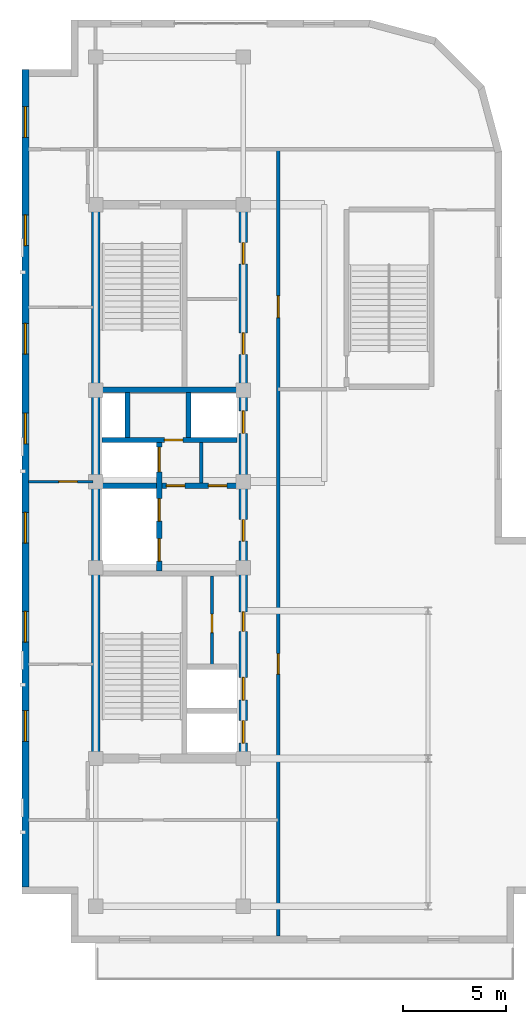
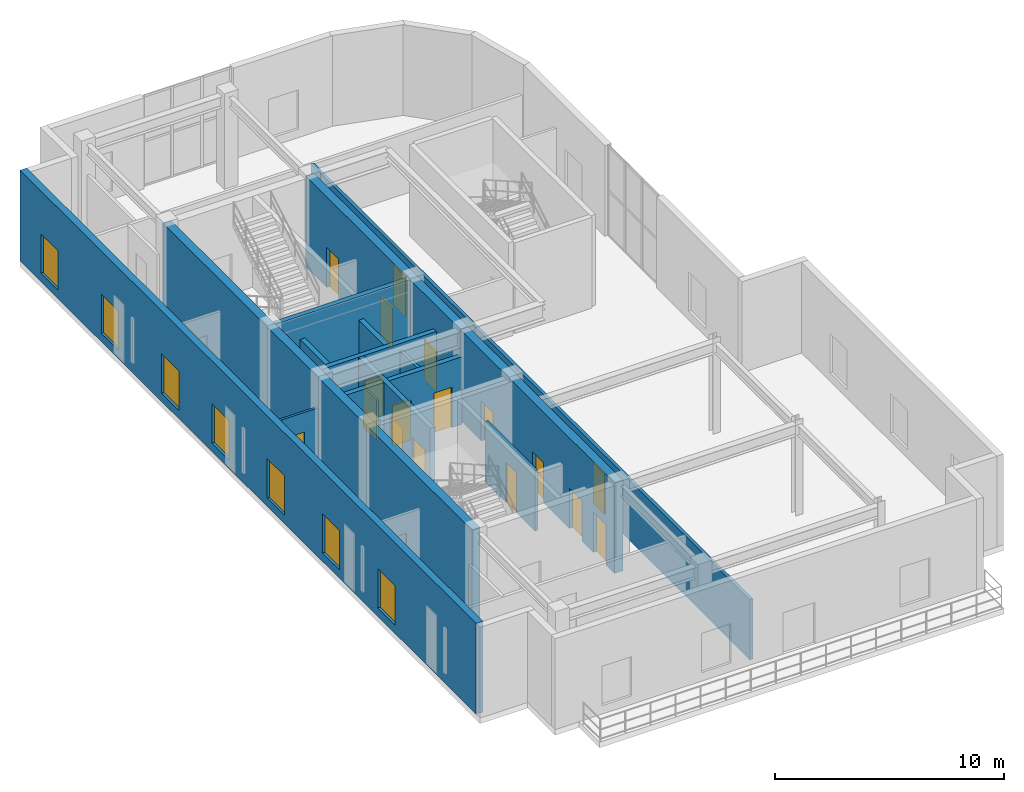
# One storey, part 7 of 10: 17 doors, 14 walls, 7 windows, 24 openings.
"""IFC4 building model written with IfcOpenShell, lengths in metres."""

from ifc_helpers import new_model, entity, si_unit, converted_unit, direction, frame, origin_with_axes, origin_2d_with_axis, place, context, subcontext, project, spatial, polyline, rectangle, outline, extrude, material, layer, layer_set, type_object, element, fill, save


model = new_model("IFC4")

# Units and contexts
model_context = context("Model", 3, precision=1e-05, world=origin_with_axes(), true_north=direction((0.0, 1.0)))
body_context = subcontext(model_context, "Body", "Model", "MODEL_VIEW")
ifc_project = project(units=[si_unit("LENGTHUNIT", "METRE"), si_unit("AREAUNIT", "SQUARE_METRE"), si_unit("VOLUMEUNIT", "CUBIC_METRE"), converted_unit("PLANEANGLEUNIT", "DEGREE", entity("IfcPlaneAngleMeasure", 0.017453292519943295), si_unit("PLANEANGLEUNIT", "RADIAN"), dimensions=[0, 0, 0, 0, 0, 0, 0]), si_unit("MASSUNIT", "GRAM", prefix="KILO"), si_unit("THERMODYNAMICTEMPERATUREUNIT", "KELVIN")], contexts=[model_context])

# Site, building, storey
site_placement = place(None, origin_with_axes())
site = spatial("IfcSite", under=ifc_project, at=site_placement, CompositionType="ELEMENT")
building_placement = place(site_placement, origin_with_axes())
building = spatial("IfcBuilding", under=site, at=building_placement, Name="Varnlund Millrace Tower", CompositionType="ELEMENT")
storey_placement = place(building_placement, frame((0.0, 0.0, 303.6), z_axis=(0.0, 0.0, 1.0), x_axis=(1.0, 0.0, 0.0)))
storey = spatial("IfcBuildingStorey", under=building, at=storey_placement, Name="L75", CompositionType="ELEMENT", Elevation=303.6)

# Wall
ifc_material_1 = material(Name="Concrete C60/75", Category="concrete")
ifc_layer_1 = layer(ifc_material_1, 0.42, Name="Concrete C60/75")
ifc_layer_set_1 = layer_set([ifc_layer_1], Name="Concrete C60/75")
wall_type_1 = type_object("IfcWallType", Name="Type-CoreWall-Shear-420-C60", PredefinedType="SHEAR", material=ifc_layer_set_1)
wall_1_placement = place(storey_placement, frame((11.4, 10.8, 0.0), z_axis=(0.0, 0.0, 1.0), x_axis=(0.0, 1.0, 0.0)))
element("IfcWall", 1, at=wall_1_placement, inside=storey, type_object=wall_type_1, Name="Type-CoreWall-Shear-420-C60", PredefinedType="SHEAR", context=body_context, shape_type="SweptSolid", body=[
    extrude(outline(polyline([(0.0, -0.21), (27.0, -0.21), (27.0, 0.21), (0.0, 0.21), (0.0, -0.21)])), origin_with_axes(), (0.0, 0.0, 1.0), 4.84),
])

# Wall, openings, doors
wall_2_placement = place(storey_placement, frame((18.6, 10.8, 0.0), z_axis=(0.0, 0.0, 1.0), x_axis=(0.0, 1.0, 0.0)))
wall_2 = element("IfcWall", 2, at=wall_2_placement, inside=storey, type_object=wall_type_1, Name="Type-CoreWall-Shear-420-C60", PredefinedType="SHEAR", context=body_context, shape_type="SweptSolid", body=[
    extrude(outline(polyline([(0.0, -0.21), (13.5, -0.21), (13.5, 0.21), (0.0, 0.21), (0.0, -0.21)])), origin_with_axes(), (0.0, 0.0, 1.0), 4.84),
])
opening_1_placement = place(wall_2_placement, frame((1.3, 0.0, 0.0), z_axis=(0.0, 0.0, 1.0), x_axis=(1.0, 0.0, 0.0)))
opening_1 = element("IfcOpeningElement", 3, at=opening_1_placement, cuts=wall_2, Name="Opening L75:LD-ELV-H1", PredefinedType="OPENING", context=body_context, shape_type="SweptSolid", body=[
    extrude(rectangle(XDim=1.1, YDim=0.44, at=origin_2d_with_axis()), origin_with_axes(), (0.0, 0.0, 1.0), 2.15),
])
opening_2_placement = place(wall_2_placement, frame((3.4, 0.0, 0.0), z_axis=(0.0, 0.0, 1.0), x_axis=(1.0, 0.0, 0.0)))
opening_2 = element("IfcOpeningElement", 4, at=opening_2_placement, cuts=wall_2, Name="Opening L75:LD-ELV-H2", PredefinedType="OPENING", context=body_context, shape_type="SweptSolid", body=[
    extrude(rectangle(XDim=1.1, YDim=0.44, at=origin_2d_with_axis()), origin_with_axes(), (0.0, 0.0, 1.0), 2.15),
])
opening_3_placement = place(wall_2_placement, frame((11.125, 0.0, 0.0), z_axis=(0.0, 0.0, 1.0), x_axis=(1.0, 0.0, 0.0)))
opening_3 = element("IfcOpeningElement", 5, at=opening_3_placement, cuts=wall_2, Name="Opening L75:DR-FFLOB-A", PredefinedType="OPENING", context=body_context, shape_type="SweptSolid", body=[
    extrude(rectangle(XDim=1.05, YDim=0.44, at=origin_2d_with_axis()), origin_with_axes(), (0.0, 0.0, 1.0), 2.15),
])
opening_4_placement = place(wall_2_placement, frame((6.675, 0.0, 0.0), z_axis=(0.0, 0.0, 1.0), x_axis=(1.0, 0.0, 0.0)))
opening_4 = element("IfcOpeningElement", 6, at=opening_4_placement, cuts=wall_2, Name="Opening L75:DR-RECL-S1B2", PredefinedType="OPENING", context=body_context, shape_type="SweptSolid", body=[
    extrude(rectangle(XDim=0.95, YDim=0.44, at=origin_2d_with_axis()), origin_with_axes(), (0.0, 0.0, 1.0), 2.15),
])
ifc_material_2 = material(Name="Smoke-barrier hollow steel fire door", Category="steel")
door_type_1 = type_object("IfcDoorType", Name="Type-FireDoor-Lobby-1050X2150", OperationType="NOTDEFINED", PredefinedType="DOOR", material=ifc_material_2)
door_1_placement = place(wall_2_placement, frame((11.125, 0.0, 0.0), z_axis=(0.0, 0.0, 1.0), x_axis=(1.0, 0.0, 0.0)))
door_1 = element("IfcDoor", 7, at=door_1_placement, inside=storey, type_object=door_type_1, Name="Type-FireDoor-Lobby-1050X2150", OperationType="SINGLE_SWING_LEFT", OverallHeight=2.15, OverallWidth=1.05, PredefinedType="DOOR", context=body_context, shape_type="SweptSolid", body=[
    extrude(rectangle(XDim=1.05, YDim=0.09, at=origin_2d_with_axis()), origin_with_axes(), (0.0, 0.0, 1.0), 2.15),
])
fill(opening_3, door_1)
ifc_material_3 = material(Name="Fire-rated hollow steel core service door", Category="steel")
door_type_2 = type_object("IfcDoorType", Name="Type-FireDoor-Service-950X2150", OperationType="NOTDEFINED", PredefinedType="DOOR", material=ifc_material_3)
door_2_placement = place(wall_2_placement, frame((6.675, 0.0, 0.0), z_axis=(0.0, 0.0, 1.0), x_axis=(1.0, 0.0, 0.0)))
door_2 = element("IfcDoor", 8, at=door_2_placement, inside=storey, type_object=door_type_2, Name="Type-FireDoor-Service-950X2150", OperationType="SINGLE_SWING_RIGHT", OverallHeight=2.15, OverallWidth=0.95, PredefinedType="DOOR", context=body_context, shape_type="SweptSolid", body=[
    extrude(rectangle(XDim=0.95, YDim=0.09, at=origin_2d_with_axis()), origin_with_axes(), (0.0, 0.0, 1.0), 2.15),
])
fill(opening_4, door_2)
ifc_material_4 = material(Name="Stainless and architectural bronze sliding landing door")
door_type_3 = type_object("IfcDoorType", Name="Type-LiftLandingDoor-1100X2150", OperationType="NOTDEFINED", PredefinedType="DOOR", material=ifc_material_4)
door_3_placement = place(wall_2_placement, frame((1.3, 0.0, 0.0), z_axis=(0.0, 0.0, 1.0), x_axis=(1.0, 0.0, 0.0)))
door_3 = element("IfcDoor", 9, at=door_3_placement, inside=storey, type_object=door_type_3, Name="Type-LiftLandingDoor-1100X2150", OperationType="SLIDING_TO_LEFT", OverallHeight=2.15, OverallWidth=1.1, PredefinedType="DOOR", context=body_context, shape_type="SweptSolid", body=[
    extrude(rectangle(XDim=1.1, YDim=0.09, at=origin_2d_with_axis()), origin_with_axes(), (0.0, 0.0, 1.0), 2.15),
])
fill(opening_1, door_3)
door_4_placement = place(wall_2_placement, frame((3.4, 0.0, 0.0), z_axis=(0.0, 0.0, 1.0), x_axis=(1.0, 0.0, 0.0)))
door_4 = element("IfcDoor", 10, at=door_4_placement, inside=storey, type_object=door_type_3, Name="Type-LiftLandingDoor-1100X2150", OperationType="SLIDING_TO_RIGHT", OverallHeight=2.15, OverallWidth=1.1, PredefinedType="DOOR", context=body_context, shape_type="SweptSolid", body=[
    extrude(rectangle(XDim=1.1, YDim=0.09, at=origin_2d_with_axis()), origin_with_axes(), (0.0, 0.0, 1.0), 2.15),
])
fill(opening_2, door_4)

wall_3_placement = place(storey_placement, frame((18.6, 24.3, 0.0), z_axis=(0.0, 0.0, 1.0), x_axis=(0.0, 1.0, 0.0)))
wall_3 = element("IfcWall", 11, at=wall_3_placement, inside=storey, type_object=wall_type_1, Name="Type-CoreWall-Shear-420-C60", PredefinedType="SHEAR", context=body_context, shape_type="SweptSolid", body=[
    extrude(outline(polyline([(0.0, -0.21), (13.5, -0.21), (13.5, 0.21), (0.0, 0.21), (0.0, -0.21)])), origin_with_axes(), (0.0, 0.0, 1.0), 4.84),
])
opening_5_placement = place(wall_3_placement, frame((2.9, 0.0, 0.0), z_axis=(0.0, 0.0, 1.0), x_axis=(1.0, 0.0, 0.0)))
opening_5 = element("IfcOpeningElement", 12, at=opening_5_placement, cuts=wall_3, Name="Opening L75:LD-ELV-OB1", PredefinedType="OPENING", context=body_context, shape_type="SweptSolid", body=[
    extrude(rectangle(XDim=1.1, YDim=0.44, at=origin_2d_with_axis()), origin_with_axes(), (0.0, 0.0, 1.0), 2.15),
])
opening_6_placement = place(wall_3_placement, frame((6.725, 0.0, 0.0), z_axis=(0.0, 0.0, 1.0), x_axis=(1.0, 0.0, 0.0)))
opening_6 = element("IfcOpeningElement", 13, at=opening_6_placement, cuts=wall_3, Name="Opening L75:DR-RECL-M1", PredefinedType="OPENING", context=body_context, shape_type="SweptSolid", body=[
    extrude(rectangle(XDim=1.05, YDim=0.44, at=origin_2d_with_axis()), origin_with_axes(), (0.0, 0.0, 1.0), 2.15),
])
opening_7_placement = place(wall_3_placement, frame((11.125, 0.0, 0.0), z_axis=(0.0, 0.0, 1.0), x_axis=(1.0, 0.0, 0.0)))
opening_7 = element("IfcOpeningElement", 14, at=opening_7_placement, cuts=wall_3, Name="Opening L75:DR-RECL-M2", PredefinedType="OPENING", context=body_context, shape_type="SweptSolid", body=[
    extrude(rectangle(XDim=1.05, YDim=0.44, at=origin_2d_with_axis()), origin_with_axes(), (0.0, 0.0, 1.0), 2.15),
])
door_5_placement = place(wall_3_placement, frame((6.725, 0.0, 0.0), z_axis=(0.0, 0.0, 1.0), x_axis=(1.0, 0.0, 0.0)))
door_5 = element("IfcDoor", 15, at=door_5_placement, inside=storey, type_object=door_type_1, Name="Type-FireDoor-Lobby-1050X2150", OperationType="SINGLE_SWING_LEFT", OverallHeight=2.15, OverallWidth=1.05, PredefinedType="DOOR", context=body_context, shape_type="SweptSolid", body=[
    extrude(rectangle(XDim=1.05, YDim=0.09, at=origin_2d_with_axis()), origin_with_axes(), (0.0, 0.0, 1.0), 2.15),
])
fill(opening_6, door_5)
door_6_placement = place(wall_3_placement, frame((11.125, 0.0, 0.0), z_axis=(0.0, 0.0, 1.0), x_axis=(1.0, 0.0, 0.0)))
door_6 = element("IfcDoor", 16, at=door_6_placement, inside=storey, type_object=door_type_1, Name="Type-FireDoor-Lobby-1050X2150", OperationType="SINGLE_SWING_RIGHT", OverallHeight=2.15, OverallWidth=1.05, PredefinedType="DOOR", context=body_context, shape_type="SweptSolid", body=[
    extrude(rectangle(XDim=1.05, YDim=0.09, at=origin_2d_with_axis()), origin_with_axes(), (0.0, 0.0, 1.0), 2.15),
])
fill(opening_7, door_6)
door_7_placement = place(wall_3_placement, frame((2.9, 0.0, 0.0), z_axis=(0.0, 0.0, 1.0), x_axis=(1.0, 0.0, 0.0)))
door_7 = element("IfcDoor", 17, at=door_7_placement, inside=storey, type_object=door_type_3, Name="Type-LiftLandingDoor-1100X2150", OperationType="DOUBLE_DOOR_SLIDING", OverallHeight=2.15, OverallWidth=1.1, PredefinedType="DOOR", context=body_context, shape_type="SweptSolid", body=[
    extrude(rectangle(XDim=1.1, YDim=0.09, at=origin_2d_with_axis()), origin_with_axes(), (0.0, 0.0, 1.0), 2.15),
])
fill(opening_5, door_7)

# Wall, openings, windows
ifc_material_5 = material(Name="Precast concrete C50/60", Category="concrete")
ifc_layer_2 = layer(ifc_material_5, 0.34, Name="Precast concrete C50/60")
ifc_layer_set_2 = layer_set([ifc_layer_2], Name="Precast concrete C50/60")
wall_type_2 = type_object("IfcWallType", Name="Type-ExtWall-Precast-Upper-340", PredefinedType="SOLIDWALL", material=ifc_layer_set_2)
wall_4_placement = place(storey_placement, frame((7.97, 4.54, 0.0), z_axis=(0.0, 0.0, 1.0), x_axis=(0.0, 1.0, 0.0)))
wall_4 = element("IfcWall", 18, at=wall_4_placement, inside=storey, type_object=wall_type_2, Name="Type-ExtWall-Precast-Upper-340", PredefinedType="SOLIDWALL", context=body_context, shape_type="SweptSolid", body=[
    extrude(outline(polyline([(0.0, -0.17), (39.86, -0.17), (39.86, 0.17), (0.0, 0.17), (0.0, -0.17)])), origin_with_axes(), (0.0, 0.0, 1.0), 4.84),
])
opening_8_placement = place(wall_4_placement, frame((7.849, 0.0, 0.45), z_axis=(0.0, 0.0, 1.0), x_axis=(1.0, 0.0, 0.0)))
opening_8 = element("IfcOpeningElement", 19, at=opening_8_placement, cuts=wall_4, Name="Opening L75:WN-04", PredefinedType="OPENING", context=body_context, shape_type="SweptSolid", body=[
    extrude(rectangle(XDim=1.5, YDim=0.36, at=origin_2d_with_axis()), origin_with_axes(), (0.0, 0.0, 1.0), 2.1),
])
opening_9_placement = place(wall_4_placement, frame((12.681, 0.0, 0.45), z_axis=(0.0, 0.0, 1.0), x_axis=(1.0, 0.0, 0.0)))
opening_9 = element("IfcOpeningElement", 20, at=opening_9_placement, cuts=wall_4, Name="Opening L75:WN-05", PredefinedType="OPENING", context=body_context, shape_type="SweptSolid", body=[
    extrude(rectangle(XDim=1.5, YDim=0.36, at=origin_2d_with_axis()), origin_with_axes(), (0.0, 0.0, 1.0), 2.1),
])
opening_10_placement = place(wall_4_placement, frame((17.514, 0.0, 0.45), z_axis=(0.0, 0.0, 1.0), x_axis=(1.0, 0.0, 0.0)))
opening_10 = element("IfcOpeningElement", 21, at=opening_10_placement, cuts=wall_4, Name="Opening L75:WN-06", PredefinedType="OPENING", context=body_context, shape_type="SweptSolid", body=[
    extrude(rectangle(XDim=1.5, YDim=0.36, at=origin_2d_with_axis()), origin_with_axes(), (0.0, 0.0, 1.0), 2.1),
])
opening_11_placement = place(wall_4_placement, frame((22.346, 0.0, 0.45), z_axis=(0.0, 0.0, 1.0), x_axis=(1.0, 0.0, 0.0)))
opening_11 = element("IfcOpeningElement", 22, at=opening_11_placement, cuts=wall_4, Name="Opening L75:WN-07", PredefinedType="OPENING", context=body_context, shape_type="SweptSolid", body=[
    extrude(rectangle(XDim=1.5, YDim=0.36, at=origin_2d_with_axis()), origin_with_axes(), (0.0, 0.0, 1.0), 2.1),
])
opening_12_placement = place(wall_4_placement, frame((26.729, 0.0, 0.45), z_axis=(0.0, 0.0, 1.0), x_axis=(1.0, 0.0, 0.0)))
opening_12 = element("IfcOpeningElement", 23, at=opening_12_placement, cuts=wall_4, Name="Opening L75:WN-08", PredefinedType="OPENING", context=body_context, shape_type="SweptSolid", body=[
    extrude(rectangle(XDim=1.5, YDim=0.36, at=origin_2d_with_axis()), origin_with_axes(), (0.0, 0.0, 1.0), 2.1),
])
opening_13_placement = place(wall_4_placement, frame((32.011, 0.0, 0.45), z_axis=(0.0, 0.0, 1.0), x_axis=(1.0, 0.0, 0.0)))
opening_13 = element("IfcOpeningElement", 24, at=opening_13_placement, cuts=wall_4, Name="Opening L75:WN-09", PredefinedType="OPENING", context=body_context, shape_type="SweptSolid", body=[
    extrude(rectangle(XDim=1.5, YDim=0.36, at=origin_2d_with_axis()), origin_with_axes(), (0.0, 0.0, 1.0), 2.1),
])
opening_14_placement = place(wall_4_placement, frame((37.294, 0.0, 0.45), z_axis=(0.0, 0.0, 1.0), x_axis=(1.0, 0.0, 0.0)))
opening_14 = element("IfcOpeningElement", 25, at=opening_14_placement, cuts=wall_4, Name="Opening L75:WN-10", PredefinedType="OPENING", context=body_context, shape_type="SweptSolid", body=[
    extrude(rectangle(XDim=1.5, YDim=0.36, at=origin_2d_with_axis()), origin_with_axes(), (0.0, 0.0, 1.0), 2.1),
])
ifc_material_6 = material(Name="Argon low-e triple glazing in thermally broken bronze frame", Category="glass")
window_type = type_object("IfcWindowType", Name="Type-Window-Punched-1500X2100", PartitioningType="SINGLE_PANEL", PredefinedType="WINDOW", material=ifc_material_6)
window_1_placement = place(wall_4_placement, frame((7.849, 0.0, 0.45), z_axis=(0.0, 0.0, 1.0), x_axis=(1.0, 0.0, 0.0)))
window_1 = element("IfcWindow", 26, at=window_1_placement, inside=storey, type_object=window_type, Name="Type-Window-Punched-1500X2100", OverallHeight=2.1, OverallWidth=1.5, PredefinedType="WINDOW", context=body_context, shape_type="SweptSolid", body=[
    extrude(rectangle(XDim=1.5, YDim=0.09, at=origin_2d_with_axis()), origin_with_axes(), (0.0, 0.0, 1.0), 2.1),
])
fill(opening_8, window_1)
window_2_placement = place(wall_4_placement, frame((12.681, 0.0, 0.45), z_axis=(0.0, 0.0, 1.0), x_axis=(1.0, 0.0, 0.0)))
window_2 = element("IfcWindow", 27, at=window_2_placement, inside=storey, type_object=window_type, Name="Type-Window-Punched-1500X2100", OverallHeight=2.1, OverallWidth=1.5, PredefinedType="WINDOW", context=body_context, shape_type="SweptSolid", body=[
    extrude(rectangle(XDim=1.5, YDim=0.09, at=origin_2d_with_axis()), origin_with_axes(), (0.0, 0.0, 1.0), 2.1),
])
fill(opening_9, window_2)
window_3_placement = place(wall_4_placement, frame((17.514, 0.0, 0.45), z_axis=(0.0, 0.0, 1.0), x_axis=(1.0, 0.0, 0.0)))
window_3 = element("IfcWindow", 28, at=window_3_placement, inside=storey, type_object=window_type, Name="Type-Window-Punched-1500X2100", OverallHeight=2.1, OverallWidth=1.5, PredefinedType="WINDOW", context=body_context, shape_type="SweptSolid", body=[
    extrude(rectangle(XDim=1.5, YDim=0.09, at=origin_2d_with_axis()), origin_with_axes(), (0.0, 0.0, 1.0), 2.1),
])
fill(opening_10, window_3)
window_4_placement = place(wall_4_placement, frame((22.346, 0.0, 0.45), z_axis=(0.0, 0.0, 1.0), x_axis=(1.0, 0.0, 0.0)))
window_4 = element("IfcWindow", 29, at=window_4_placement, inside=storey, type_object=window_type, Name="Type-Window-Punched-1500X2100", OverallHeight=2.1, OverallWidth=1.5, PredefinedType="WINDOW", context=body_context, shape_type="SweptSolid", body=[
    extrude(rectangle(XDim=1.5, YDim=0.09, at=origin_2d_with_axis()), origin_with_axes(), (0.0, 0.0, 1.0), 2.1),
])
fill(opening_11, window_4)
window_5_placement = place(wall_4_placement, frame((26.729, 0.0, 0.45), z_axis=(0.0, 0.0, 1.0), x_axis=(1.0, 0.0, 0.0)))
window_5 = element("IfcWindow", 30, at=window_5_placement, inside=storey, type_object=window_type, Name="Type-Window-Punched-1500X2100", OverallHeight=2.1, OverallWidth=1.5, PredefinedType="WINDOW", context=body_context, shape_type="SweptSolid", body=[
    extrude(rectangle(XDim=1.5, YDim=0.09, at=origin_2d_with_axis()), origin_with_axes(), (0.0, 0.0, 1.0), 2.1),
])
fill(opening_12, window_5)
window_6_placement = place(wall_4_placement, frame((32.011, 0.0, 0.45), z_axis=(0.0, 0.0, 1.0), x_axis=(1.0, 0.0, 0.0)))
window_6 = element("IfcWindow", 31, at=window_6_placement, inside=storey, type_object=window_type, Name="Type-Window-Punched-1500X2100", OverallHeight=2.1, OverallWidth=1.5, PredefinedType="WINDOW", context=body_context, shape_type="SweptSolid", body=[
    extrude(rectangle(XDim=1.5, YDim=0.09, at=origin_2d_with_axis()), origin_with_axes(), (0.0, 0.0, 1.0), 2.1),
])
fill(opening_13, window_6)
window_7_placement = place(wall_4_placement, frame((37.294, 0.0, 0.45), z_axis=(0.0, 0.0, 1.0), x_axis=(1.0, 0.0, 0.0)))
window_7 = element("IfcWindow", 32, at=window_7_placement, inside=storey, type_object=window_type, Name="Type-Window-Punched-1500X2100", OverallHeight=2.1, OverallWidth=1.5, PredefinedType="WINDOW", context=body_context, shape_type="SweptSolid", body=[
    extrude(rectangle(XDim=1.5, YDim=0.09, at=origin_2d_with_axis()), origin_with_axes(), (0.0, 0.0, 1.0), 2.1),
])
fill(opening_14, window_7)

# Wall
ifc_material_7 = material(Name="Fire-rated gypsum board on cold-formed steel framing", Category="steel")
ifc_layer_3 = layer(ifc_material_7, 0.16, Name="Fire-rated gypsum board on cold-formed steel framing")
ifc_layer_set_3 = layer_set([ifc_layer_3], Name="Fire-rated gypsum board on cold-formed steel framing")
wall_type_3 = type_object("IfcWallType", Name="Type-Partition-Corridor-160", PredefinedType="PARTITIONING", material=ifc_layer_set_3)
wall_5_placement = place(storey_placement, frame((16.55, 24.22, 0.0), z_axis=(0.0, 0.0, 1.0), x_axis=(0.0, 1.0, 0.0)))
element("IfcWall", 33, at=wall_5_placement, inside=storey, type_object=wall_type_3, Name="Type-Partition-Corridor-160", PredefinedType="PARTITIONING", context=body_context, shape_type="SweptSolid", body=[
    extrude(outline(polyline([(0.0, -0.08), (1.98, -0.08), (1.98, 0.08), (0.0, 0.08), (0.0, -0.08)])), origin_with_axes(), (0.0, 0.0, 1.0), 3.2),
])

# Wall, opening, door
wall_6_placement = place(storey_placement, frame((17.07, 15.34, 0.0), z_axis=(0.0, 0.0, 1.0), x_axis=(0.0, 1.0, 0.0)))
wall_6 = element("IfcWall", 34, at=wall_6_placement, inside=storey, type_object=wall_type_3, Name="Type-Partition-Corridor-160", PredefinedType="PARTITIONING", context=body_context, shape_type="SweptSolid", body=[
    extrude(outline(polyline([(0.0, -0.08), (4.36, -0.08), (4.36, 0.08), (0.0, 0.08), (0.0, -0.08)])), origin_with_axes(), (0.0, 0.0, 1.0), 3.2),
])
opening_15_placement = place(wall_6_placement, frame((2.05, 0.0, 0.0), z_axis=(0.0, 0.0, 1.0), x_axis=(1.0, 0.0, 0.0)))
opening_15 = element("IfcOpeningElement", 35, at=opening_15_placement, cuts=wall_6, Name="Opening L75:DR-RECL-S1B1", PredefinedType="OPENING", context=body_context, shape_type="SweptSolid", body=[
    extrude(rectangle(XDim=0.9, YDim=0.18, at=origin_2d_with_axis()), origin_with_axes(), (0.0, 0.0, 1.0), 2.15),
])
ifc_material_8 = material(Name="Painted steel riser and closet door", Category="steel")
door_type_4 = type_object("IfcDoorType", Name="Type-IntDoor-Closet-900X2150", OperationType="NOTDEFINED", PredefinedType="DOOR", material=ifc_material_8)
door_8_placement = place(wall_6_placement, frame((2.05, 0.0, 0.0), z_axis=(0.0, 0.0, 1.0), x_axis=(1.0, 0.0, 0.0)))
door_8 = element("IfcDoor", 36, at=door_8_placement, inside=storey, type_object=door_type_4, Name="Type-IntDoor-Closet-900X2150", OperationType="SINGLE_SWING_LEFT", OverallHeight=2.15, OverallWidth=0.9, PredefinedType="DOOR", context=body_context, shape_type="SweptSolid", body=[
    extrude(rectangle(XDim=0.9, YDim=0.09, at=origin_2d_with_axis()), origin_with_axes(), (0.0, 0.0, 1.0), 2.15),
])
fill(opening_15, door_8)

# Wall, openings, doors
wall_7_placement = place(storey_placement, frame((20.3, 2.14, 0.0), z_axis=(0.0, 0.0, 1.0), x_axis=(0.0, 1.0, 0.0)))
wall_7 = element("IfcWall", 37, at=wall_7_placement, inside=storey, type_object=wall_type_3, Name="Type-Partition-Corridor-160", PredefinedType="PARTITIONING", context=body_context, shape_type="SweptSolid", body=[
    extrude(outline(polyline([(0.0, -0.08), (38.36, -0.08), (38.36, 0.08), (0.0, 0.08), (0.0, -0.08)])), origin_with_axes(), (0.0, 0.0, 1.0), 3.2),
])
opening_16_placement = place(wall_7_placement, frame((30.685, 0.0, 0.0), z_axis=(0.0, 0.0, 1.0), x_axis=(1.0, 0.0, 0.0)))
opening_16 = element("IfcOpeningElement", 38, at=opening_16_placement, cuts=wall_7, Name="Opening L75:DR-STA3-COR", PredefinedType="OPENING", context=body_context, shape_type="SweptSolid", body=[
    extrude(rectangle(XDim=1.05, YDim=0.18, at=origin_2d_with_axis()), origin_with_axes(), (0.0, 0.0, 1.0), 2.15),
])
opening_17_placement = place(wall_7_placement, frame((13.275, 0.0, 0.0), z_axis=(0.0, 0.0, 1.0), x_axis=(1.0, 0.0, 0.0)))
opening_17 = element("IfcOpeningElement", 39, at=opening_17_placement, cuts=wall_7, Name="Opening L75:DR-SUM-01", PredefinedType="OPENING", context=body_context, shape_type="SweptSolid", body=[
    extrude(rectangle(XDim=1.0, YDim=0.18, at=origin_2d_with_axis()), origin_with_axes(), (0.0, 0.0, 1.0), 2.15),
])
door_9_placement = place(wall_7_placement, frame((30.685, 0.0, 0.0), z_axis=(0.0, 0.0, 1.0), x_axis=(1.0, 0.0, 0.0)))
door_9 = element("IfcDoor", 40, at=door_9_placement, inside=storey, type_object=door_type_1, Name="Type-FireDoor-Lobby-1050X2150", OperationType="SINGLE_SWING_LEFT", OverallHeight=2.15, OverallWidth=1.05, PredefinedType="DOOR", context=body_context, shape_type="SweptSolid", body=[
    extrude(rectangle(XDim=1.05, YDim=0.09, at=origin_2d_with_axis()), origin_with_axes(), (0.0, 0.0, 1.0), 2.15),
])
fill(opening_16, door_9)
ifc_material_9 = material(Name="Solid-core white oak and bronze frame door")
door_type_5 = type_object("IfcDoorType", Name="Type-IntDoor-Office-1000X2150", OperationType="NOTDEFINED", PredefinedType="DOOR", material=ifc_material_9)
door_10_placement = place(wall_7_placement, frame((13.275, 0.0, 0.0), z_axis=(0.0, 0.0, 1.0), x_axis=(1.0, 0.0, 0.0)))
door_10 = element("IfcDoor", 41, at=door_10_placement, inside=storey, type_object=door_type_5, Name="Type-IntDoor-Office-1000X2150", OperationType="SINGLE_SWING_LEFT", OverallHeight=2.15, OverallWidth=1.0, PredefinedType="DOOR", context=body_context, shape_type="SweptSolid", body=[
    extrude(rectangle(XDim=1.0, YDim=0.09, at=origin_2d_with_axis()), origin_with_axes(), (0.0, 0.0, 1.0), 2.15),
])
fill(opening_17, door_10)

# Wall, opening, door
ifc_material_10 = material(Name="Gypsum board tenant partition", Category="gypsum")
ifc_layer_4 = layer(ifc_material_10, 0.125, Name="Gypsum board tenant partition")
ifc_layer_set_4 = layer_set([ifc_layer_4], Name="Gypsum board tenant partition")
wall_type_4 = type_object("IfcWallType", Name="Type-Partition-Tenant-125", PredefinedType="PARTITIONING", material=ifc_layer_set_4)
wall_8_placement = place(storey_placement, frame((8.135, 24.3, 0.0), z_axis=(0.0, 0.0, 1.0), x_axis=(1.0, 0.0, 0.0)))
wall_8 = element("IfcWall", 42, at=wall_8_placement, inside=storey, type_object=wall_type_4, Name="Type-Partition-Tenant-125", PredefinedType="PARTITIONING", context=body_context, shape_type="SweptSolid", body=[
    extrude(outline(polyline([(0.0, -0.0625), (3.135, -0.0625), (3.135, 0.0625), (0.0, 0.0625), (0.0, -0.0625)])), origin_with_axes(), (0.0, 0.0, 1.0), 3.2),
])
opening_18_placement = place(wall_8_placement, frame((1.925, 0.0, 0.0), z_axis=(0.0, 0.0, 1.0), x_axis=(1.0, 0.0, 0.0)))
opening_18 = element("IfcOpeningElement", 43, at=opening_18_placement, cuts=wall_8, Name="Opening L75:DR-WUI-2", PredefinedType="OPENING", context=body_context, shape_type="SweptSolid", body=[
    extrude(rectangle(XDim=0.9, YDim=0.145, at=origin_2d_with_axis()), origin_with_axes(), (0.0, 0.0, 1.0), 2.15),
])
door_11_placement = place(wall_8_placement, frame((1.925, 0.0, 0.0), z_axis=(0.0, 0.0, 1.0), x_axis=(1.0, 0.0, 0.0)))
door_11 = element("IfcDoor", 44, at=door_11_placement, inside=storey, type_object=door_type_4, Name="Type-IntDoor-Closet-900X2150", OperationType="SINGLE_SWING_LEFT", OverallHeight=2.15, OverallWidth=0.9, PredefinedType="DOOR", context=body_context, shape_type="SweptSolid", body=[
    extrude(rectangle(XDim=0.9, YDim=0.075, at=origin_2d_with_axis()), origin_with_axes(), (0.0, 0.0, 1.0), 2.15),
])
fill(opening_18, door_11)

# Wall, openings, doors
ifc_layer_5 = layer(ifc_material_1, 0.25, Name="Concrete C60/75")
ifc_layer_set_5 = layer_set([ifc_layer_5], Name="Concrete C60/75")
wall_type_5 = type_object("IfcWallType", Name="Type-ShaftWall-Fire-250", PredefinedType="SOLIDWALL", material=ifc_layer_set_5)
wall_9_placement = place(storey_placement, frame((14.5, 19.95, 0.0), z_axis=(0.0, 0.0, 1.0), x_axis=(0.0, 1.0, 0.0)))
wall_9 = element("IfcWall", 45, at=wall_9_placement, inside=storey, type_object=wall_type_5, Name="Type-ShaftWall-Fire-250", PredefinedType="SOLIDWALL", context=body_context, shape_type="SweptSolid", body=[
    extrude(outline(polyline([(0.0, -0.125), (6.25, -0.125), (6.25, 0.125), (0.0, 0.125), (0.0, -0.125)])), origin_with_axes(), (0.0, 0.0, 1.0), 3.6),
])
opening_19_placement = place(wall_9_placement, frame((1.025, 0.0, 0.0), z_axis=(0.0, 0.0, 1.0), x_axis=(1.0, 0.0, 0.0)))
opening_19 = element("IfcOpeningElement", 46, at=opening_19_placement, cuts=wall_9, Name="Opening L75:LD-FSAE1", PredefinedType="OPENING", context=body_context, shape_type="SweptSolid", body=[
    extrude(rectangle(XDim=1.1, YDim=0.27, at=origin_2d_with_axis()), origin_with_axes(), (0.0, 0.0, 1.0), 2.15),
])
opening_20_placement = place(wall_9_placement, frame((2.975, 0.0, 0.0), z_axis=(0.0, 0.0, 1.0), x_axis=(1.0, 0.0, 0.0)))
opening_20 = element("IfcOpeningElement", 47, at=opening_20_placement, cuts=wall_9, Name="Opening L75:LD-FSAE2", PredefinedType="OPENING", context=body_context, shape_type="SweptSolid", body=[
    extrude(rectangle(XDim=1.1, YDim=0.27, at=origin_2d_with_axis()), origin_with_axes(), (0.0, 0.0, 1.0), 2.15),
])
opening_21_placement = place(wall_9_placement, frame((5.425, 0.0, 0.0), z_axis=(0.0, 0.0, 1.0), x_axis=(1.0, 0.0, 0.0)))
opening_21 = element("IfcOpeningElement", 48, at=opening_21_placement, cuts=wall_9, Name="Opening L75:LD-SRV1", PredefinedType="OPENING", context=body_context, shape_type="SweptSolid", body=[
    extrude(rectangle(XDim=1.2, YDim=0.27, at=origin_2d_with_axis()), origin_with_axes(), (0.0, 0.0, 1.0), 2.15),
])
door_12_placement = place(wall_9_placement, frame((1.025, 0.0, 0.0), z_axis=(0.0, 0.0, 1.0), x_axis=(1.0, 0.0, 0.0)))
door_12 = element("IfcDoor", 49, at=door_12_placement, inside=storey, type_object=door_type_3, Name="Type-LiftLandingDoor-1100X2150", OperationType="SLIDING_TO_LEFT", OverallHeight=2.15, OverallWidth=1.1, PredefinedType="DOOR", context=body_context, shape_type="SweptSolid", body=[
    extrude(rectangle(XDim=1.1, YDim=0.09, at=origin_2d_with_axis()), origin_with_axes(), (0.0, 0.0, 1.0), 2.15),
])
fill(opening_19, door_12)
door_13_placement = place(wall_9_placement, frame((2.975, 0.0, 0.0), z_axis=(0.0, 0.0, 1.0), x_axis=(1.0, 0.0, 0.0)))
door_13 = element("IfcDoor", 50, at=door_13_placement, inside=storey, type_object=door_type_3, Name="Type-LiftLandingDoor-1100X2150", OperationType="SLIDING_TO_RIGHT", OverallHeight=2.15, OverallWidth=1.1, PredefinedType="DOOR", context=body_context, shape_type="SweptSolid", body=[
    extrude(rectangle(XDim=1.1, YDim=0.09, at=origin_2d_with_axis()), origin_with_axes(), (0.0, 0.0, 1.0), 2.15),
])
fill(opening_20, door_13)
ifc_material_11 = material(Name="Heavy-duty freight sliding landing door")
door_type_6 = type_object("IfcDoorType", Name="Type-LiftLandingDoor-Service-1200X2150", OperationType="NOTDEFINED", PredefinedType="DOOR", material=ifc_material_11)
door_14_placement = place(wall_9_placement, frame((5.425, 0.0, 0.0), z_axis=(0.0, 0.0, 1.0), x_axis=(1.0, 0.0, 0.0)))
door_14 = element("IfcDoor", 51, at=door_14_placement, inside=storey, type_object=door_type_6, Name="Type-LiftLandingDoor-Service-1200X2150", OperationType="DOUBLE_DOOR_SLIDING", OverallHeight=2.15, OverallWidth=1.2, PredefinedType="DOOR", context=body_context, shape_type="SweptSolid", body=[
    extrude(rectangle(XDim=1.2, YDim=0.09, at=origin_2d_with_axis()), origin_with_axes(), (0.0, 0.0, 1.0), 2.15),
])
fill(opening_21, door_14)

wall_10_placement = place(storey_placement, frame((11.7, 24.1, 0.0), z_axis=(0.0, 0.0, 1.0), x_axis=(1.0, 0.0, 0.0)))
wall_10 = element("IfcWall", 52, at=wall_10_placement, inside=storey, type_object=wall_type_5, Name="Type-ShaftWall-Fire-250", PredefinedType="SOLIDWALL", context=body_context, shape_type="SweptSolid", body=[
    extrude(outline(polyline([(0.0, -0.125), (6.6, -0.125), (6.6, 0.125), (0.0, 0.125), (0.0, -0.125)])), origin_with_axes(), (0.0, 0.0, 1.0), 3.6),
])
opening_22_placement = place(wall_10_placement, frame((3.6, 0.0, 0.0), z_axis=(0.0, 0.0, 1.0), x_axis=(1.0, 0.0, 0.0)))
opening_22 = element("IfcOpeningElement", 53, at=opening_22_placement, cuts=wall_10, Name="Opening L75:DR-CA-SUB1", PredefinedType="OPENING", context=body_context, shape_type="SweptSolid", body=[
    extrude(rectangle(XDim=0.9, YDim=0.27, at=origin_2d_with_axis()), origin_with_axes(), (0.0, 0.0, 1.0), 2.15),
])
opening_23_placement = place(wall_10_placement, frame((5.65, 0.0, 0.0), z_axis=(0.0, 0.0, 1.0), x_axis=(1.0, 0.0, 0.0)))
opening_23 = element("IfcOpeningElement", 54, at=opening_23_placement, cuts=wall_10, Name="Opening L75:DR-CA-SUB2", PredefinedType="OPENING", context=body_context, shape_type="SweptSolid", body=[
    extrude(rectangle(XDim=0.9, YDim=0.27, at=origin_2d_with_axis()), origin_with_axes(), (0.0, 0.0, 1.0), 2.15),
])
ifc_material_12 = material(Name="Fire-rated hollow steel service closet door", Category="steel")
door_type_7 = type_object("IfcDoorType", Name="Type-FireDoor-Closet-900X2150", OperationType="NOTDEFINED", PredefinedType="DOOR", material=ifc_material_12)
door_15_placement = place(wall_10_placement, frame((3.6, 0.0, 0.0), z_axis=(0.0, 0.0, 1.0), x_axis=(1.0, 0.0, 0.0)))
door_15 = element("IfcDoor", 55, at=door_15_placement, inside=storey, type_object=door_type_7, Name="Type-FireDoor-Closet-900X2150", OperationType="SINGLE_SWING_LEFT", OverallHeight=2.15, OverallWidth=0.9, PredefinedType="DOOR", context=body_context, shape_type="SweptSolid", body=[
    extrude(rectangle(XDim=0.9, YDim=0.09, at=origin_2d_with_axis()), origin_with_axes(), (0.0, 0.0, 1.0), 2.15),
])
fill(opening_22, door_15)
door_16_placement = place(wall_10_placement, frame((5.65, 0.0, 0.0), z_axis=(0.0, 0.0, 1.0), x_axis=(1.0, 0.0, 0.0)))
door_16 = element("IfcDoor", 56, at=door_16_placement, inside=storey, type_object=door_type_7, Name="Type-FireDoor-Closet-900X2150", OperationType="SINGLE_SWING_LEFT", OverallHeight=2.15, OverallWidth=0.9, PredefinedType="DOOR", context=body_context, shape_type="SweptSolid", body=[
    extrude(rectangle(XDim=0.9, YDim=0.09, at=origin_2d_with_axis()), origin_with_axes(), (0.0, 0.0, 1.0), 2.15),
])
fill(opening_23, door_16)

# Wall, opening, door
wall_11_placement = place(storey_placement, frame((11.7, 26.325, 0.0), z_axis=(0.0, 0.0, 1.0), x_axis=(1.0, 0.0, 0.0)))
wall_11 = element("IfcWall", 57, at=wall_11_placement, inside=storey, type_object=wall_type_5, Name="Type-ShaftWall-Fire-250", PredefinedType="SOLIDWALL", context=body_context, shape_type="SweptSolid", body=[
    extrude(outline(polyline([(0.0, -0.125), (6.6, -0.125), (6.6, 0.125), (0.0, 0.125), (0.0, -0.125)])), origin_with_axes(), (0.0, 0.0, 1.0), 3.6),
])
opening_24_placement = place(wall_11_placement, frame((3.5, 0.0, 0.0), z_axis=(0.0, 0.0, 1.0), x_axis=(1.0, 0.0, 0.0)))
opening_24 = element("IfcOpeningElement", 58, at=opening_24_placement, cuts=wall_11, Name="Opening L75:DR-CA-ELC", PredefinedType="OPENING", context=body_context, shape_type="SweptSolid", body=[
    extrude(rectangle(XDim=0.9, YDim=0.27, at=origin_2d_with_axis()), origin_with_axes(), (0.0, 0.0, 1.0), 2.15),
])
door_17_placement = place(wall_11_placement, frame((3.5, 0.0, 0.0), z_axis=(0.0, 0.0, 1.0), x_axis=(1.0, 0.0, 0.0)))
door_17 = element("IfcDoor", 59, at=door_17_placement, inside=storey, type_object=door_type_7, Name="Type-FireDoor-Closet-900X2150", OperationType="SINGLE_SWING_LEFT", OverallHeight=2.15, OverallWidth=0.9, PredefinedType="DOOR", context=body_context, shape_type="SweptSolid", body=[
    extrude(rectangle(XDim=0.9, YDim=0.09, at=origin_2d_with_axis()), origin_with_axes(), (0.0, 0.0, 1.0), 2.15),
])
fill(opening_24, door_17)

# Walls
for number, where, z_axis, x_axis, name in (
    (60, (12.96, 26.45, 0.0), (0.0, 0.0, 1.0), (0.0, 1.0, 0.0), "Type-ShaftWall-Fire-250"),
    (61, (15.925, 26.45, 0.0), (0.0, 0.0, 1.0), (0.0, 1.0, 0.0), "Type-ShaftWall-Fire-250"),
):
    element("IfcWall", number, at=place(storey_placement, frame(where, z_axis=z_axis, x_axis=x_axis)), inside=storey, type_object=wall_type_5, Name=name, PredefinedType="SOLIDWALL", context=body_context, shape_type="SweptSolid", body=[
        extrude(outline(polyline([(0.0, -0.125), (2.2, -0.125), (2.2, 0.125), (0.0, 0.125), (0.0, -0.125)])), origin_with_axes(), (0.0, 0.0, 1.0), 3.6),
    ])
wall_type_6 = type_object("IfcWallType", Name="Type-StairWall-Shear-250", PredefinedType="SHEAR", material=ifc_layer_set_5)
wall_12_placement = place(storey_placement, frame((11.61, 28.775, 0.0), z_axis=(0.0, 0.0, 1.0), x_axis=(1.0, 0.0, 0.0)))
element("IfcWall", 62, at=wall_12_placement, inside=storey, type_object=wall_type_6, Name="Type-StairWall-Shear-250", PredefinedType="SHEAR", context=body_context, shape_type="SweptSolid", body=[
    extrude(outline(polyline([(0.0, -0.125), (6.78, -0.125), (6.78, 0.125), (0.0, 0.125), (0.0, -0.125)])), origin_with_axes(), (0.0, 0.0, 1.0), 4.84),
])

save(model, "model.ifc")
